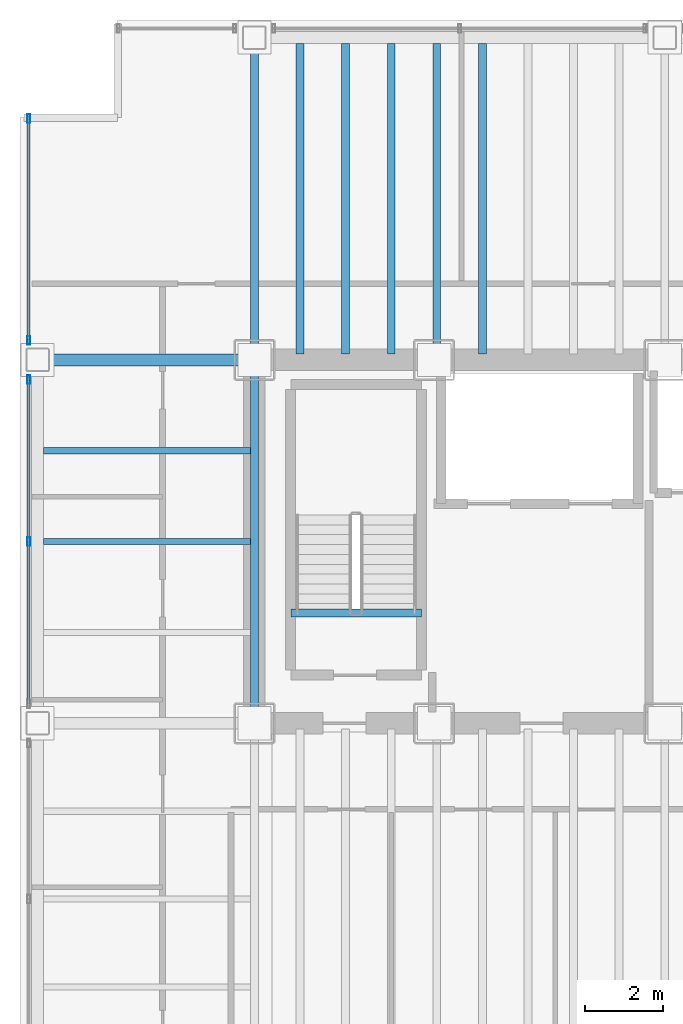
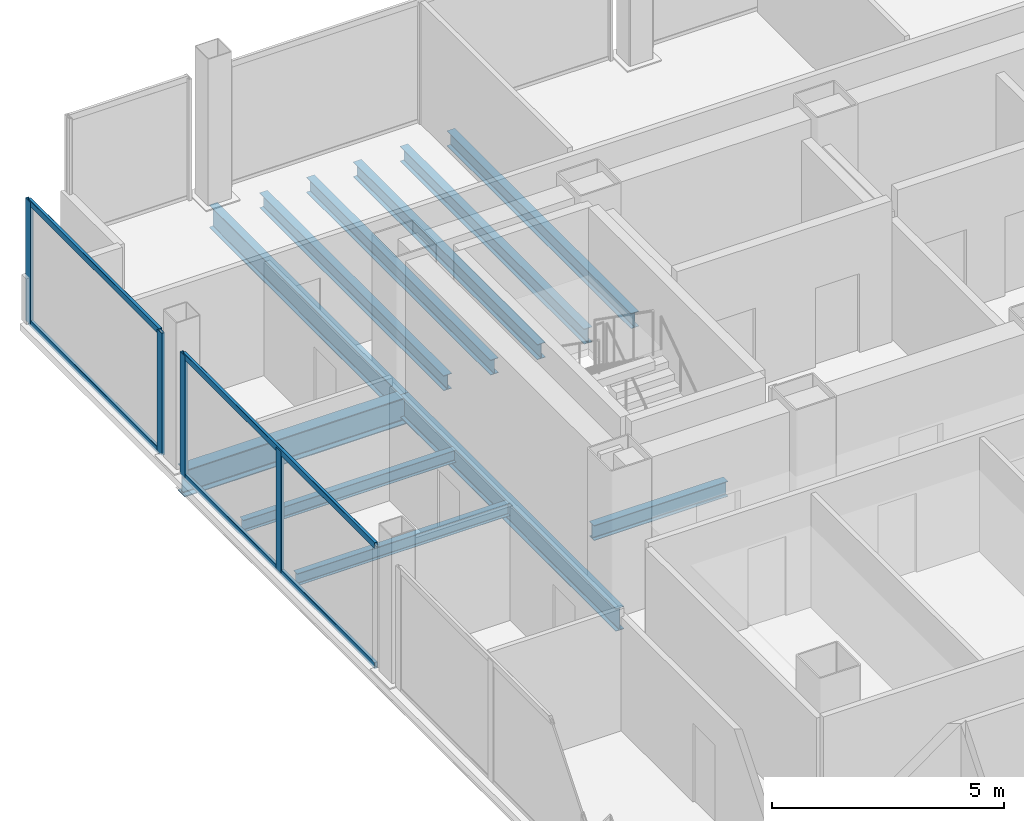
# One storey, part 6 of 20: 11 beams, 8 members, 2 elements without a shape of their own.
"""IFC4 building model written with IfcOpenShell, lengths in metres."""

from ifc_helpers import new_model, si_unit, direction, frame, origin, origin_2d, place, context, subcontext, project, spatial, hollow_rectangle, i_section, extrude, material, material_profile, profile_set, type_object, element, aggregate, save


model = new_model("IFC4")

# Units and contexts
model_context = context("Model", 3, precision=1e-05, world=origin(), true_north=direction((0.0, 1.0)))
body_context = subcontext(model_context, "Body", "Model", "MODEL_VIEW")
ifc_project = project(units=[si_unit("LENGTHUNIT", "METRE"), si_unit("AREAUNIT", "SQUARE_METRE"), si_unit("VOLUMEUNIT", "CUBIC_METRE"), si_unit("PLANEANGLEUNIT", "RADIAN"), si_unit("MASSUNIT", "GRAM", prefix="KILO")], contexts=[model_context])

# Site, building, storey
site_placement = place(None, origin())
site = spatial("IfcSite", under=ifc_project, at=site_placement, CompositionType="ELEMENT")
building_placement = place(site_placement, origin())
building = spatial("IfcBuilding", under=site, at=building_placement, Name="Noeulbin Bourse Tower", CompositionType="ELEMENT")
storey_placement = place(building_placement, frame((0.0, 0.0, 57.699951171875)))
storey = spatial("IfcBuildingStorey", under=building, at=storey_placement, Name="L14", CompositionType="ELEMENT", Elevation=57.699951171875)

# Beams
ifc_material_1 = material(Name="Steel S355", Category="steel")
ifc_material_profile_1 = material_profile(ifc_material_1, i_section(OverallWidth=0.199951171875, OverallDepth=0.60009765625, WebThickness=0.010986328125, FlangeThickness=0.01708984375, FilletRadius=0.02197265625, at=origin_2d()), Name="H-600x200x11x17", Category="LoadBearing")
ifc_profile_set_1 = profile_set([ifc_material_profile_1], Name="Steel S355")
beam_type_1 = type_object("IfcBeamType", Name="BM-GRD-600", PredefinedType="USERDEFINED", material=ifc_profile_set_1)
beam_1_placement = place(storey_placement, frame((13.5, 29.0, -0.47998046875), z_axis=(0.0, 1.0, 0.0), x_axis=(-1.0, 0.0, 0.0)))
element("IfcBeam", 1, at=beam_1_placement, inside=storey, type_object=beam_type_1, Name="Tower Primary Girder NS L14-1.3", ObjectType="GIRDER", PredefinedType="USERDEFINED", context=body_context, shape_type="SweptSolid", body=[
    extrude(i_section(OverallWidth=0.199951171875, OverallDepth=0.60009765625, WebThickness=0.010986328125, FlangeThickness=0.01708984375, FilletRadius=0.02197265625, at=origin_2d()), origin(), (0.0, 0.0, 1.0), 9.300048828125),
])
beam_2_placement = place(storey_placement, frame((13.5, 38.300048828125, -0.47998046875), z_axis=(0.0, 1.0, 0.0), x_axis=(-1.0, 0.0, 0.0)))
element("IfcBeam", 2, at=beam_2_placement, inside=storey, type_object=beam_type_1, Name="Tower Primary Girder NS L14-1.4", ObjectType="GIRDER", PredefinedType="USERDEFINED", context=body_context, shape_type="SweptSolid", body=[
    extrude(i_section(OverallWidth=0.199951171875, OverallDepth=0.60009765625, WebThickness=0.010986328125, FlangeThickness=0.01708984375, FilletRadius=0.02197265625, at=origin_2d()), origin(), (0.0, 0.0, 1.0), 8.25),
])
ifc_material_profile_2 = material_profile(ifc_material_1, i_section(OverallWidth=0.300048828125, OverallDepth=0.699951171875, WebThickness=0.012939453125, FlangeThickness=0.02392578125, FilletRadius=0.02392578125, at=origin_2d()), Name="H-700x300x13x24", Category="LoadBearing")
ifc_profile_set_2 = profile_set([ifc_material_profile_2], Name="Steel S355")
beam_type_2 = type_object("IfcBeamType", Name="BM-GRD-700", PredefinedType="USERDEFINED", material=ifc_profile_set_2)
beam_3_placement = place(storey_placement, frame((7.949951171875, 38.300048828125, -0.530029296875), z_axis=(1.0, 0.0, 0.0), x_axis=(0.0, 1.0, 0.0)))
element("IfcBeam", 3, at=beam_3_placement, inside=storey, type_object=beam_type_2, Name="Tower Primary Girder EW L14-3.1", ObjectType="GIRDER", PredefinedType="USERDEFINED", context=body_context, shape_type="SweptSolid", body=[
    extrude(i_section(OverallWidth=0.300048828125, OverallDepth=0.699951171875, WebThickness=0.012939453125, FlangeThickness=0.02392578125, FilletRadius=0.02392578125, at=origin_2d()), origin(), (0.0, 0.0, 1.0), 5.550048828125),
])
ifc_material_profile_3 = material_profile(ifc_material_1, i_section(OverallWidth=0.159912109375, OverallDepth=0.320068359375, WebThickness=0.006591796875, FlangeThickness=0.010009765625, FilletRadius=0.012939453125, at=origin_2d()), Name="H-320x160x6.5x10", Category="LoadBearing")
ifc_profile_set_3 = profile_set([ifc_material_profile_3], Name="Steel S355")
beam_type_3 = type_object("IfcBeamType", Name="BM-JST-320", PredefinedType="JOIST", material=ifc_profile_set_3)
for number, where, z_axis, x_axis, name in (
    (4, (8.10009765625, 33.64990234375, -0.33984375), (1.0, 0.0, 0.0), (0.0, 1.0, 0.0), "Wing Composite Joist L14-W74"),
    (5, (8.10009765625, 35.97509765625, -0.33984375), (1.0, 0.0, 0.0), (0.0, 1.0, 0.0), "Wing Composite Joist L14-W75"),
):
    element("IfcBeam", number, at=place(storey_placement, frame(where, z_axis=z_axis, x_axis=x_axis)), inside=storey, type_object=beam_type_3, Name=name, PredefinedType="JOIST", context=body_context, shape_type="SweptSolid", body=[
        extrude(i_section(OverallWidth=0.159912109375, OverallDepth=0.320068359375, WebThickness=0.006591796875, FlangeThickness=0.010009765625, FilletRadius=0.012939453125, at=origin_2d()), origin(), (0.0, 0.0, 1.0), 5.2998046875),
    ])
ifc_material_profile_4 = material_profile(ifc_material_1, i_section(OverallWidth=0.199951171875, OverallDepth=0.39990234375, WebThickness=0.008056640625, FlangeThickness=0.012939453125, FilletRadius=0.01611328125, at=origin_2d()), Name="H-400x200x8x13", Category="LoadBearing")
ifc_profile_set_4 = profile_set([ifc_material_profile_4], Name="Steel S355")
beam_type_4 = type_object("IfcBeamType", Name="BM-SEC-400", PredefinedType="BEAM", material=ifc_profile_set_4)
for number, where, z_axis, x_axis, name in (
    (6, (14.666748046875, 38.449951171875, -0.3798828125), (0.0, 1.0, 0.0), (-1.0, 0.0, 0.0), "Tower Composite Joist L14-03"),
    (7, (15.833251953125, 38.449951171875, -0.3798828125), (0.0, 1.0, 0.0), (-1.0, 0.0, 0.0), "Tower Composite Joist L14-06"),
    (8, (17.0, 38.449951171875, -0.3798828125), (0.0, 1.0, 0.0), (-1.0, 0.0, 0.0), "Tower Composite Joist L14-09"),
    (9, (18.166748046875, 38.449951171875, -0.3798828125), (0.0, 1.0, 0.0), (-1.0, 0.0, 0.0), "Tower Composite Joist L14-12"),
    (10, (19.333251953125, 38.449951171875, -0.3798828125), (0.0, 1.0, 0.0), (-1.0, 0.0, 0.0), "Tower Composite Joist L14-15"),
):
    element("IfcBeam", number, at=place(storey_placement, frame(where, z_axis=z_axis, x_axis=x_axis)), inside=storey, type_object=beam_type_4, Name=name, PredefinedType="BEAM", context=body_context, shape_type="SweptSolid", body=[
        extrude(i_section(OverallWidth=0.199951171875, OverallDepth=0.39990234375, WebThickness=0.008056640625, FlangeThickness=0.012939453125, FilletRadius=0.01611328125, at=origin_2d()), origin(), (0.0, 0.0, 1.0), 7.949951171875),
    ])
beam_4_placement = place(storey_placement, frame((14.429931640625, 31.820068359375, -0.199951171875), z_axis=(1.0, 0.0, 0.0), x_axis=(0.0, 1.0, 0.0)))
element("IfcBeam", 11, at=beam_4_placement, inside=storey, type_object=beam_type_4, Name="Stair Threshold Trimmer Beam ST1-L14", PredefinedType="BEAM", context=body_context, shape_type="SweptSolid", body=[
    extrude(i_section(OverallWidth=0.199951171875, OverallDepth=0.39990234375, WebThickness=0.008056640625, FlangeThickness=0.012939453125, FilletRadius=0.01611328125, at=origin_2d()), origin(), (0.0, 0.0, 1.0), 3.340087890625),
])

# Curtain wall, members
ifc_material_2 = material(Name="Dark Solar-Control Double Glazing", Category="glass")
curtain_wall_type = type_object("IfcCurtainWallType", Name="CW-SYS-2", PredefinedType="NOTDEFINED", material=ifc_material_2)
curtain_wall_1_placement = place(storey_placement, origin())
curtain_wall_1 = element("IfcCurtainWall", 12, at=curtain_wall_1_placement, inside=storey, type_object=curtain_wall_type, Name="Unitised Curtain Wall CW-L14-W-S3", PredefinedType="NOTDEFINED")
ifc_material_3 = material(Name="Anodised Aluminium 6063-T6", Category="aluminium")
ifc_material_profile_5 = material_profile(ifc_material_3, hollow_rectangle(XDim=0.074951171875, YDim=0.219970703125, WallThickness=0.0048828125, InnerFilletRadius=0.00244140625, OuterFilletRadius=0.0048828125, at=origin_2d()), Name="ALU-MULL-75x220x5", Category="LoadBearing")
ifc_profile_set_5 = profile_set([ifc_material_profile_5], Name="Anodised Aluminium 6063-T6")
member_type_1 = type_object("IfcMemberType", Name="CW-SYS-2-MUL", PredefinedType="MULLION", material=ifc_profile_set_5)
member_1_placement = place(storey_placement, frame((7.719970703125, 33.64990234375, -0.02001953125), z_axis=(0.0, 0.0, 1.0), x_axis=(1.0, 0.0, 0.0)))
member_1 = element("IfcMember", 13, at=member_1_placement, type_object=member_type_1, Name="Curtain Wall Mullion CW-L14-W-S3-M01", PredefinedType="MULLION", context=body_context, shape_type="SweptSolid", body=[
    extrude(hollow_rectangle(XDim=0.074951171875, YDim=0.219970703125, WallThickness=0.0048828125, InnerFilletRadius=0.00244140625, OuterFilletRadius=0.0048828125, at=origin_2d()), origin(), (0.0, 0.0, 1.0), 3.219970703125),
])
member_2_placement = place(storey_placement, frame((7.719970703125, 37.800048828125, -0.02001953125), z_axis=(0.0, 0.0, 1.0), x_axis=(1.0, 0.0, 0.0)))
member_2 = element("IfcMember", 14, at=member_2_placement, type_object=member_type_1, Name="Curtain Wall Mullion CW-L14-W-S3-M02", PredefinedType="MULLION", context=body_context, shape_type="SweptSolid", body=[
    extrude(hollow_rectangle(XDim=0.074951171875, YDim=0.219970703125, WallThickness=0.0048828125, InnerFilletRadius=0.00244140625, OuterFilletRadius=0.0048828125, at=origin_2d()), origin(), (0.0, 0.0, 1.0), 3.219970703125),
])

curtain_wall_2_placement = place(storey_placement, origin())
curtain_wall_2 = element("IfcCurtainWall", 15, at=curtain_wall_2_placement, inside=storey, type_object=curtain_wall_type, Name="Unitised Curtain Wall CW-L14-W-S4", PredefinedType="NOTDEFINED")
member_3_placement = place(storey_placement, frame((7.719970703125, 38.800048828125, -0.02001953125), z_axis=(0.0, 0.0, 1.0), x_axis=(1.0, 0.0, 0.0)))
member_3 = element("IfcMember", 16, at=member_3_placement, type_object=member_type_1, Name="Curtain Wall Mullion CW-L14-W-S4-M00", PredefinedType="MULLION", context=body_context, shape_type="SweptSolid", body=[
    extrude(hollow_rectangle(XDim=0.074951171875, YDim=0.219970703125, WallThickness=0.0048828125, InnerFilletRadius=0.00244140625, OuterFilletRadius=0.0048828125, at=origin_2d()), origin(), (0.0, 0.0, 1.0), 3.219970703125),
])
member_4_placement = place(storey_placement, frame((7.719970703125, 44.47998046875, -0.02001953125), z_axis=(0.0, 0.0, 1.0), x_axis=(1.0, 0.0, 0.0)))
member_4 = element("IfcMember", 17, at=member_4_placement, type_object=member_type_1, Name="Curtain Wall Mullion CW-L14-W-S4-M01", PredefinedType="MULLION", context=body_context, shape_type="SweptSolid", body=[
    extrude(hollow_rectangle(XDim=0.074951171875, YDim=0.219970703125, WallThickness=0.0048828125, InnerFilletRadius=0.00244140625, OuterFilletRadius=0.0048828125, at=origin_2d()), origin(), (0.0, 0.0, 1.0), 3.219970703125),
])

# Member
ifc_material_profile_6 = material_profile(ifc_material_3, hollow_rectangle(XDim=0.074951171875, YDim=0.159912109375, WallThickness=0.0048828125, InnerFilletRadius=0.00244140625, OuterFilletRadius=0.0048828125, at=origin_2d()), Name="ALU-TRAN-75x160x5", Category="LoadBearing")
ifc_profile_set_6 = profile_set([ifc_material_profile_6], Name="Anodised Aluminium 6063-T6")
member_type_2 = type_object("IfcMemberType", Name="CW-SYS-2-TRN", PredefinedType="USERDEFINED", material=ifc_profile_set_6)
member_5_placement = place(storey_placement, frame((7.719970703125, 29.510009765625, 0.010009765625), z_axis=(0.0, 1.0, 0.0), x_axis=(-1.0, 0.0, 0.0)))
member_5 = element("IfcMember", 18, at=member_5_placement, type_object=member_type_2, Name="Curtain Wall Transom CW-L14-W-S3-T00", ObjectType="TRANSOM", PredefinedType="USERDEFINED", context=body_context, shape_type="SweptSolid", body=[
    extrude(hollow_rectangle(XDim=0.074951171875, YDim=0.159912109375, WallThickness=0.0048828125, InnerFilletRadius=0.00244140625, OuterFilletRadius=0.0048828125, at=origin_2d()), origin(), (0.0, 0.0, 1.0), 8.280029296875),
])

member_6_placement = place(storey_placement, frame((7.719970703125, 29.510009765625, 3.170166015625), z_axis=(0.0, 1.0, 0.0), x_axis=(-1.0, 0.0, 0.0)))
member_6 = element("IfcMember", 19, at=member_6_placement, type_object=member_type_2, Name="Curtain Wall Transom CW-L14-W-S3-T01", ObjectType="TRANSOM", PredefinedType="USERDEFINED", context=body_context, shape_type="SweptSolid", body=[
    extrude(hollow_rectangle(XDim=0.074951171875, YDim=0.159912109375, WallThickness=0.0048828125, InnerFilletRadius=0.00244140625, OuterFilletRadius=0.0048828125, at=origin_2d()), origin(), (0.0, 0.0, 1.0), 8.280029296875),
])

aggregate(curtain_wall_1, [member_1, member_2, member_5, member_6])

member_7_placement = place(storey_placement, frame((7.719970703125, 38.81005859375, 0.010009765625), z_axis=(0.0, 1.0, 0.0), x_axis=(-1.0, 0.0, 0.0)))
member_7 = element("IfcMember", 20, at=member_7_placement, type_object=member_type_2, Name="Curtain Wall Transom CW-L14-W-S4-T00", ObjectType="TRANSOM", PredefinedType="USERDEFINED", context=body_context, shape_type="SweptSolid", body=[
    extrude(hollow_rectangle(XDim=0.074951171875, YDim=0.159912109375, WallThickness=0.0048828125, InnerFilletRadius=0.00244140625, OuterFilletRadius=0.0048828125, at=origin_2d()), origin(), (0.0, 0.0, 1.0), 5.659912109375),
])

member_8_placement = place(storey_placement, frame((7.719970703125, 38.81005859375, 3.170166015625), z_axis=(0.0, 1.0, 0.0), x_axis=(-1.0, 0.0, 0.0)))
member_8 = element("IfcMember", 21, at=member_8_placement, type_object=member_type_2, Name="Curtain Wall Transom CW-L14-W-S4-T01", ObjectType="TRANSOM", PredefinedType="USERDEFINED", context=body_context, shape_type="SweptSolid", body=[
    extrude(hollow_rectangle(XDim=0.074951171875, YDim=0.159912109375, WallThickness=0.0048828125, InnerFilletRadius=0.00244140625, OuterFilletRadius=0.0048828125, at=origin_2d()), origin(), (0.0, 0.0, 1.0), 5.659912109375),
])

aggregate(curtain_wall_2, [member_3, member_4, member_7, member_8])

save(model, "model.ifc")
